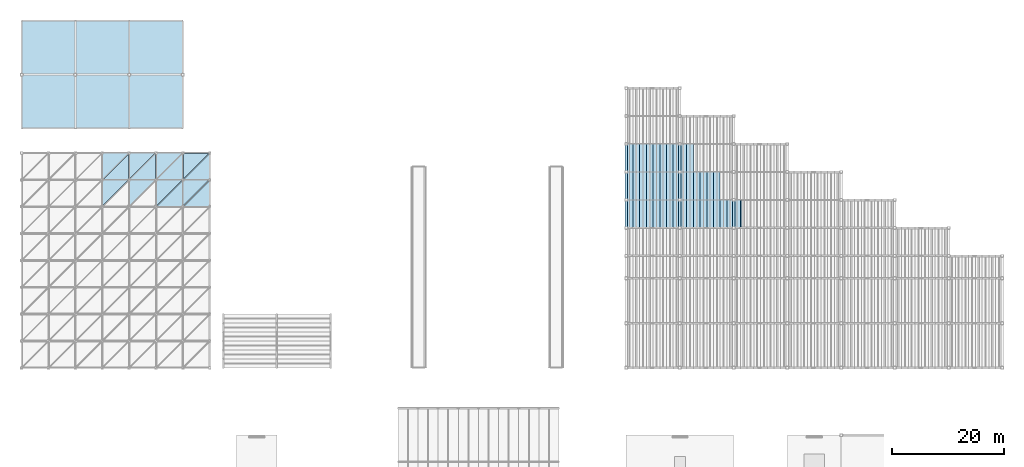
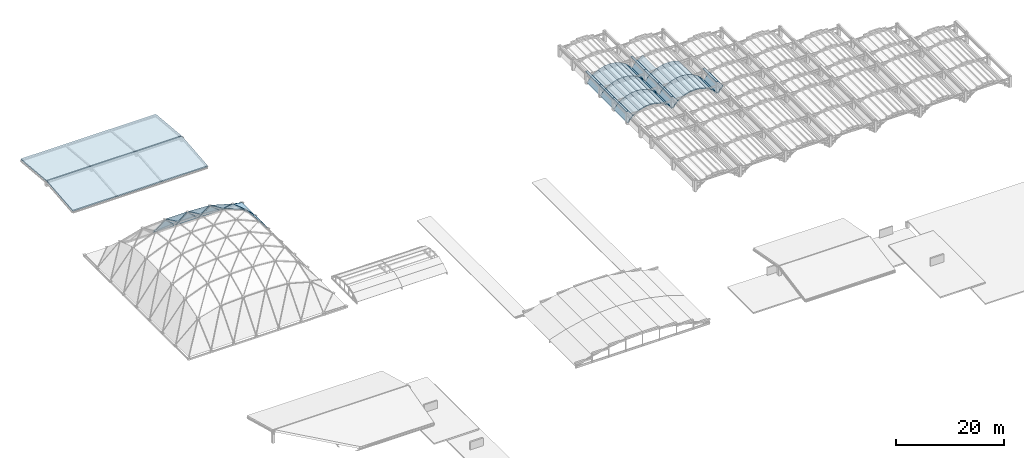
# One storey, part 34 of 70: 57 slabs, 7 plates.
"""IFC4 building model written with IfcOpenShell, lengths in metres."""

from ifc_helpers import new_model, si_unit, direction, frame, origin, origin_2d, place, context, subcontext, project, spatial, polyline, rectangle, outline, extrude, material, layer, layer_set, type_object, element, save


model = new_model("IFC4")

# Units and contexts
model_context = context("Model", 3, precision=1e-05, world=origin(), true_north=direction((0.0, 1.0)))
body_context = subcontext(model_context, "Body", "Model", "MODEL_VIEW")
ifc_project = project(units=[si_unit("LENGTHUNIT", "METRE"), si_unit("AREAUNIT", "SQUARE_METRE"), si_unit("VOLUMEUNIT", "CUBIC_METRE"), si_unit("PLANEANGLEUNIT", "RADIAN"), si_unit("MASSUNIT", "GRAM", prefix="KILO")], contexts=[model_context])

# Site, building, storey
site_placement = place(None, origin())
site = spatial("IfcSite", under=ifc_project, at=site_placement, CompositionType="ELEMENT")
building_placement = place(site_placement, origin())
building = spatial("IfcBuilding", under=site, at=building_placement, Name="Mavantir Sound Aquarium", CompositionType="ELEMENT")
storey_placement = place(building_placement, frame((0.0, 0.0, 27.0)))
storey = spatial("IfcBuildingStorey", under=building, at=storey_placement, Name="RF", CompositionType="ELEMENT", Elevation=27.0)

# Plates
ifc_material_1 = material(Name="Patinated Bronze-Copper Architectural Fascia", Category="metal")
ifc_layer_1 = layer(ifc_material_1, 0.179931640625, Name="Patinated Bronze-Copper Architectural Fascia")
ifc_layer_set_1 = layer_set([ifc_layer_1], Name="Patinated Bronze-Copper Architectural Fascia")
plate_type = type_object("IfcPlateType", Name="PLT-FASCIA-BZ", PredefinedType="SHEET", material=ifc_layer_set_1)
for number, where, z_axis, x_axis, name in (
    (1, (108.0, 68.300048828125, -4.52001953125), (0.0, 0.0, 1.0), (1.0, 0.0, 0.0), "Scalloped roof bronze ridge fascia 5"),
    (2, (108.0, 73.300048828125, -4.52001953125), (0.0, 0.0, 1.0), (1.0, 0.0, 0.0), "Scalloped roof bronze ridge fascia 6"),
    (3, (108.0, 78.300048828125, -4.52001953125), (0.0, 0.0, 1.0), (1.0, 0.0, 0.0), "Scalloped roof bronze ridge fascia 7"),
    (4, (117.60009765625, 68.300048828125, -4.52001953125), (0.0, 0.0, 1.0), (1.0, 0.0, 0.0), "Scalloped roof bronze ridge fascia 14"),
    (5, (117.60009765625, 73.300048828125, -4.52001953125), (0.0, 0.0, 1.0), (1.0, 0.0, 0.0), "Scalloped roof bronze ridge fascia 15"),
    (6, (117.60009765625, 78.300048828125, -4.52001953125), (0.0, 0.0, 1.0), (1.0, 0.0, 0.0), "Scalloped roof bronze ridge fascia 16"),
    (7, (127.199951171875, 68.300048828125, -4.52001953125), (0.0, 0.0, 1.0), (1.0, 0.0, 0.0), "Scalloped roof bronze ridge fascia 23"),
):
    element("IfcPlate", number, at=place(storey_placement, frame(where, z_axis=z_axis, x_axis=x_axis)), inside=storey, type_object=plate_type, Name=name, PredefinedType="SHEET", context=body_context, shape_type="SweptSolid", body=[
        extrude(rectangle(XDim=0.419921875, YDim=5.0, at=origin_2d()), origin(), (0.0, 0.0, 1.0), 0.139892578125),
    ])

# Slabs
ifc_material_2 = material(Name="Concrete C40/50", Category="concrete")
ifc_layer_2 = layer(ifc_material_2, 0.199951171875, Name="Concrete C40/50")
ifc_layer_set_2 = layer_set([ifc_layer_2], Name="Concrete C40/50")
slab_type_1 = type_object("IfcSlabType", Name="SLB-RF-GS", PredefinedType="ROOF", material=ifc_layer_set_2)
slab_1_placement = place(storey_placement, frame((14.47509765625, 69.77587890625, 1.109375), z_axis=(0.0, 0.432014557692, 0.901866632015), x_axis=(0.669710425792, 0.669746312107, -0.320823663411)))
element("IfcSlab", 8, at=slab_1_placement, inside=storey, type_object=slab_type_1, Name="Gridshell insulated roof panel 62", PredefinedType="ROOF", context=body_context, shape_type="SweptSolid", body=[
    extrude(outline(polyline([(0.0, 0.0), (6.803167709931447, 1.1102230246251565e-16), (3.75186498382714, 3.3835005324555576), (0.0, 0.0)])), origin(), (0.0, 0.0, -1.0), 0.199951171875),
])
slab_2_placement = place(storey_placement, frame((14.536376953125, 74.447509765625, -1.163818359375), z_axis=(0.0, 0.773840172082, 0.63338091862), x_axis=(1.0, 0.0, 0.0)))
element("IfcSlab", 9, at=slab_2_placement, inside=storey, type_object=slab_type_1, Name="Gridshell insulated roof panel 63", PredefinedType="ROOF", context=body_context, shape_type="SweptSolid", body=[
    extrude(outline(polyline([(0.0, 0.0), (4.588623046875, 0.0), (4.588623046875, 7.244649960201324), (0.0, 0.0)])), origin(), (0.0, 0.0, -1.0), 0.199951171875),
])
slab_3_placement = place(storey_placement, frame((14.47509765625, 74.563720703125, -1.305908203125), z_axis=(0.0, 0.773810134526, 0.633417615563), x_axis=(0.535082579627, 0.535111049038, -0.653714615238)))
element("IfcSlab", 10, at=slab_3_placement, inside=storey, type_object=slab_type_1, Name="Gridshell insulated roof panel 64", PredefinedType="ROOF", context=body_context, shape_type="SweptSolid", body=[
    extrude(outline(polyline([(0.0, 0.0), (8.57554183518732, 4.440892098500626e-16), (6.120249578327554, 3.876467644611121), (0.0, 0.0)])), origin(), (0.0, 0.0, -1.0), 0.199951171875),
])
slab_4_placement = place(storey_placement, frame((19.27490234375, 69.777099609375, 1.10498046875), z_axis=(0.047554867311, 0.431541304456, 0.900838851928), x_axis=(0.661872618797, 0.661837146766, -0.351988959554)))
element("IfcSlab", 11, at=slab_4_placement, inside=storey, type_object=slab_type_1, Name="Gridshell insulated roof panel 78", PredefinedType="ROOF", context=body_context, shape_type="SweptSolid", body=[
    extrude(outline(polyline([(0.0, 0.0), (6.882623321323492, 0.0), (3.7828698254038953, 3.346820707122966), (0.0, 0.0)])), origin(), (0.0, 0.0, -1.0), 0.199951171875),
])
slab_5_placement = place(storey_placement, frame((19.33984375, 74.44873046875, -1.170166015625), z_axis=(0.034280886967, 0.759437530243, 0.649676425959), x_axis=(0.998610770006, 0.0, -0.052692789153)))
element("IfcSlab", 12, at=slab_5_placement, inside=storey, type_object=slab_type_1, Name="Gridshell insulated roof panel 79", PredefinedType="ROOF", context=body_context, shape_type="SweptSolid", body=[
    extrude(outline(polyline([(0.0, 0.0), (4.591583844122739, 2.7755575615628914e-17), (4.87400998988859, 7.047870279335676), (0.0, 0.0)])), origin(), (0.0, 0.0, -1.0), 0.199951171875),
])
slab_6_placement = place(storey_placement, frame((19.27490234375, 74.563720703125, -1.305908203125), z_axis=(0.0, 0.773810134526, 0.633417615563), x_axis=(0.535102897401, 0.535102897401, -0.653704656849)))
element("IfcSlab", 13, at=slab_6_placement, inside=storey, type_object=slab_type_1, Name="Gridshell insulated roof panel 80", PredefinedType="ROOF", context=body_context, shape_type="SweptSolid", body=[
    extrude(outline(polyline([(0.0, 0.0), (8.575672473062951, 4.440892098500626e-16), (6.120156345242245, 3.8766148390737207), (0.0, 0.0)])), origin(), (0.0, 0.0, -1.0), 0.199951171875),
])
slab_7_placement = place(storey_placement, frame((24.177490234375, 69.671630859375, 0.711669921875), z_axis=(0.349736790069, 0.300110061038, 0.887478523085), x_axis=(0.930364042668, 0.0, -0.366637079563)))
element("IfcSlab", 14, at=slab_7_placement, inside=storey, type_object=slab_type_1, Name="Gridshell insulated roof panel 93", PredefinedType="ROOF", context=body_context, shape_type="SweptSolid", body=[
    extrude(outline(polyline([(0.0, 0.0), (4.892972949271522, 0.0), (5.45733984054168, 4.771967804497857), (0.0, 0.0)])), origin(), (0.0, 0.0, -1.0), 0.199951171875),
])
slab_8_placement = place(storey_placement, frame((24.07275390625, 69.778076171875, 0.705078125), z_axis=(0.248304452806, 0.398241184065, 0.883033894045), x_axis=(0.627920741831, 0.627954412309, -0.459770375339)))
element("IfcSlab", 15, at=slab_8_placement, inside=storey, type_object=slab_type_1, Name="Gridshell insulated roof panel 94", PredefinedType="ROOF", context=body_context, shape_type="SweptSolid", body=[
    extrude(outline(polyline([(0.0, 0.0), (7.250880903133205, -3.885780586188048e-16), (3.803339457164026, 3.2377726011620442), (0.0, 0.0)])), origin(), (0.0, 0.0, -1.0), 0.199951171875),
])
slab_9_placement = place(storey_placement, frame((24.15771484375, 74.45703125, -1.453857421875), z_axis=(0.205809347423, 0.649689625324, 0.731810018557), x_axis=(0.962655129752, 0.0, -0.270730680126)))
element("IfcSlab", 16, at=slab_9_placement, inside=storey, type_object=slab_type_1, Name="Gridshell insulated roof panel 95", PredefinedType="ROOF", context=body_context, shape_type="SweptSolid", body=[
    extrude(outline(polyline([(0.0, 0.0), (4.746089762619291, -1.1102230246251565e-16), (5.844214645339135, 6.010063434247701), (0.0, 0.0)])), origin(), (0.0, 0.0, -1.0), 0.199951171875),
])
slab_10_placement = place(storey_placement, frame((24.074951171875, 74.564453125, -1.55126953125), z_axis=(0.0, 0.759881491264, 0.650061627259), x_axis=(0.545024673126, 0.545024673126, -0.637099844113)))
element("IfcSlab", 17, at=slab_10_placement, inside=storey, type_object=slab_type_1, Name="Gridshell insulated roof panel 96", PredefinedType="ROOF", context=body_context, shape_type="SweptSolid", body=[
    extrude(outline(polyline([(0.0, 0.0), (8.41597507172236, 0.0), (5.915993734152358, 3.845760513677621), (0.0, 0.0)])), origin(), (0.0, 0.0, -1.0), 0.199951171875),
])
slab_11_placement = place(storey_placement, frame((28.963623046875, 69.675048828125, -1.286376953125), z_axis=(0.774888427975, 0.0, 0.632098033687), x_axis=(0.632098033687, 0.0, -0.774888427975)))
element("IfcSlab", 18, at=slab_11_placement, inside=storey, type_object=slab_type_1, Name="Gridshell insulated roof panel 109", PredefinedType="ROOF", context=body_context, shape_type="SweptSolid", body=[
    extrude(outline(polyline([(0.0, 0.0), (7.259739696917187, 0.0), (7.259739696917187, 4.588867187499999), (0.0, 0.0)])), origin(), (0.0, 0.0, -1.0), 0.199951171875),
])
slab_12_placement = place(storey_placement, frame((28.857421875, 69.75927734375, -1.1904296875), z_axis=(0.643635260825, 0.245155637544, 0.725005078881), x_axis=(0.53430460336, 0.53430460336, -0.655009298908)))
element("IfcSlab", 19, at=slab_12_placement, inside=storey, type_object=slab_type_1, Name="Gridshell insulated roof panel 110", PredefinedType="ROOF", context=body_context, shape_type="SweptSolid", body=[
    extrude(outline(polyline([(0.0, 0.0), (8.549646036450554, 2.220446049250313e-16), (3.4525432782382857, 3.3665488277306306), (0.0, 0.0)])), origin(), (0.0, 0.0, -1.0), 0.199951171875),
])
slab_13_placement = place(storey_placement, frame((28.96875, 74.47509765625, -2.8583984375), z_axis=(0.663900537319, 0.0, 0.747820885338), x_axis=(0.747820885338, 0.0, -0.663900537319)))
element("IfcSlab", 20, at=slab_13_placement, inside=storey, type_object=slab_type_1, Name="Gridshell insulated roof panel 111", PredefinedType="ROOF", context=body_context, shape_type="SweptSolid", body=[
    extrude(outline(polyline([(0.0, 0.0), (6.118036286769588, 0.0), (6.118036286769588, 4.5751953125), (0.0, 0.0)])), origin(), (0.0, 0.0, -1.0), 0.199951171875),
])
slab_14_placement = place(storey_placement, frame((28.875, 74.568603515625, -2.8583984375), z_axis=(0.0, 0.663900537319, 0.747820885338), x_axis=(0.598882541436, 0.598882541436, -0.531676032117)))
element("IfcSlab", 21, at=slab_14_placement, inside=storey, type_object=slab_type_1, Name="Gridshell insulated roof panel 112", PredefinedType="ROOF", context=body_context, shape_type="SweptSolid", body=[
    extrude(outline(polyline([(0.0, 0.0), (7.639553661945924, 0.0), (4.899549065631572, 3.6639851200159366), (0.0, 0.0)])), origin(), (0.0, 0.0, -1.0), 0.199951171875),
])
ifc_layer_3 = layer(ifc_material_2, 0.280029296875, Name="Concrete C40/50")
ifc_layer_set_3 = layer_set([ifc_layer_3], Name="Concrete C40/50")
slab_type_2 = type_object("IfcSlabType", Name="SLB-RF-PD", PredefinedType="ROOF", material=ifc_layer_set_3)
for number, where, z_axis, x_axis, name in (
    (22, (0.0, 83.60009765625, 0.280029296875), (0.0, -0.093344667628, 0.995633854901), (1.0, 0.0, 0.0), "Pavilion sloped roof deck RF-V5-S"),
    (23, (0.0, 93.2900390625, 1.171630859375), (0.0, 0.093344667628, 0.995633854901), (1.0, 0.0, 0.0), "Pavilion sloped roof deck RF-V5-N"),
):
    element("IfcSlab", number, at=place(storey_placement, frame(where, z_axis=z_axis, x_axis=x_axis)), inside=storey, type_object=slab_type_2, Name=name, PredefinedType="ROOF", context=body_context, shape_type="SweptSolid", body=[
        extrude(outline(polyline([(0.0, 0.0), (28.800048828125, 0.0), (28.800048828125, 9.551713934605418), (0.0, 9.551713934605418), (0.0, 0.0)])), origin(), (0.0, 0.0, -1.0), 0.280029296875),
    ])
ifc_layer_4 = layer(ifc_material_2, 0.219970703125, Name="Concrete C40/50")
ifc_layer_set_4 = layer_set([ifc_layer_4], Name="Concrete C40/50")
slab_type_3 = type_object("IfcSlabType", Name="SLB-RF-SC", PredefinedType="ROOF", material=ifc_layer_set_4)
slab_15_placement = place(storey_placement, frame((108.0, 65.800048828125, -6.97998046875), z_axis=(-0.725020424784, 0.0, 0.688727365252), x_axis=(0.688727365252, 0.0, 0.725020424784)))
element("IfcSlab", 24, at=slab_15_placement, inside=storey, type_object=slab_type_3, Name="Scalloped bay 1 sagging-arc roof panel 33", PredefinedType="ROOF", context=body_context, shape_type="SweptSolid", body=[
    extrude(outline(polyline([(0.0, 0.0), (1.74227311475651, 0.0), (1.74227311475651, 5.0), (0.0, 5.0), (0.0, 0.0)])), origin(), (0.0, 0.0, -1.0), 0.219970703125),
])
slab_16_placement = place(storey_placement, frame((109.199951171875, 65.800048828125, -5.716796875), z_axis=(-0.515904776109, 0.0, 0.856645937356), x_axis=(0.856645937356, 0.0, 0.515904776109)))
element("IfcSlab", 25, at=slab_16_placement, inside=storey, type_object=slab_type_3, Name="Scalloped bay 1 sagging-arc roof panel 34", PredefinedType="ROOF", context=body_context, shape_type="SweptSolid", body=[
    extrude(outline(polyline([(0.0, 0.0), (1.4007551072718774, 0.0), (1.4007551072718774, 5.0), (0.0, 5.0), (0.0, 0.0)])), origin(), (0.0, 0.0, -1.0), 0.219970703125),
])
slab_17_placement = place(storey_placement, frame((110.39990234375, 65.800048828125, -4.994140625), z_axis=(-0.30896358205, 0.0, 0.951073869353), x_axis=(0.951073869353, 0.0, 0.30896358205)))
element("IfcSlab", 26, at=slab_17_placement, inside=storey, type_object=slab_type_3, Name="Scalloped bay 1 sagging-arc roof panel 35", PredefinedType="ROOF", context=body_context, shape_type="SweptSolid", body=[
    extrude(outline(polyline([(0.0, 0.0), (1.261937007391388, 0.0), (1.261937007391388, 5.0), (0.0, 5.0), (0.0, 0.0)])), origin(), (0.0, 0.0, -1.0), 0.219970703125),
])
for number, where, z_axis, x_axis, name in (
    (27, (111.60009765625, 65.800048828125, -4.604248046875), (-0.103009624196, 0.0, 0.994680359373), (0.994680359373, 0.0, 0.103009624196), "Scalloped bay 1 sagging-arc roof panel 36"),
    (28, (112.800048828125, 65.800048828125, -4.47998046875), (0.103009624196, 0.0, 0.994680359373), (0.994680359373, 0.0, -0.103009624196), "Scalloped bay 1 sagging-arc roof panel 37"),
):
    element("IfcSlab", number, at=place(storey_placement, frame(where, z_axis=z_axis, x_axis=x_axis)), inside=storey, type_object=slab_type_3, Name=name, PredefinedType="ROOF", context=body_context, shape_type="SweptSolid", body=[
        extrude(outline(polyline([(0.0, 0.0), (1.206368619393442, 0.0), (1.206368619393442, 5.000000000000001), (0.0, 5.000000000000001), (0.0, 0.0)])), origin(), (0.0, 0.0, -1.0), 0.219970703125),
    ])
slab_18_placement = place(storey_placement, frame((114.0, 65.800048828125, -4.604248046875), z_axis=(0.309020441102, 0.0, 0.951055396379), x_axis=(0.951055396379, 0.0, -0.309020441102)))
element("IfcSlab", 29, at=slab_18_placement, inside=storey, type_object=slab_type_3, Name="Scalloped bay 1 sagging-arc roof panel 38", PredefinedType="ROOF", context=body_context, shape_type="SweptSolid", body=[
    extrude(outline(polyline([(0.0, 0.0), (1.2617048138772973, 0.0), (1.2617048138772973, 5.0), (0.0, 5.0), (0.0, 0.0)])), origin(), (0.0, 0.0, -1.0), 0.219970703125),
])
slab_19_placement = place(storey_placement, frame((115.199951171875, 65.800048828125, -4.994140625), z_axis=(0.515904776109, 0.0, 0.856645937356), x_axis=(0.856645937356, 0.0, -0.515904776109)))
element("IfcSlab", 30, at=slab_19_placement, inside=storey, type_object=slab_type_3, Name="Scalloped bay 1 sagging-arc roof panel 39", PredefinedType="ROOF", context=body_context, shape_type="SweptSolid", body=[
    extrude(outline(polyline([(0.0, 0.0), (1.4007551072718774, 0.0), (1.4007551072718774, 5.0), (0.0, 5.0), (0.0, 0.0)])), origin(), (0.0, 0.0, -1.0), 0.219970703125),
])
slab_20_placement = place(storey_placement, frame((116.39990234375, 65.800048828125, -5.716796875), z_axis=(0.724950456261, 0.0, 0.688801013332), x_axis=(0.688801013332, 0.0, -0.724950456261)))
element("IfcSlab", 31, at=slab_20_placement, inside=storey, type_object=slab_type_3, Name="Scalloped bay 1 sagging-arc roof panel 40", PredefinedType="ROOF", context=body_context, shape_type="SweptSolid", body=[
    extrude(outline(polyline([(0.0, 0.0), (1.7424412700765952, 0.0), (1.7424412700765952, 5.0), (0.0, 5.0), (0.0, 0.0)])), origin(), (0.0, 0.0, -1.0), 0.219970703125),
])
slab_21_placement = place(storey_placement, frame((108.0, 70.800048828125, -6.97998046875), z_axis=(-0.725020424784, 0.0, 0.688727365252), x_axis=(0.688727365252, 0.0, 0.725020424784)))
element("IfcSlab", 32, at=slab_21_placement, inside=storey, type_object=slab_type_3, Name="Scalloped bay 1 sagging-arc roof panel 41", PredefinedType="ROOF", context=body_context, shape_type="SweptSolid", body=[
    extrude(outline(polyline([(0.0, 0.0), (1.74227311475651, 0.0), (1.74227311475651, 5.0), (0.0, 5.0), (0.0, 0.0)])), origin(), (0.0, 0.0, -1.0), 0.219970703125),
])
slab_22_placement = place(storey_placement, frame((109.199951171875, 70.800048828125, -5.716796875), z_axis=(-0.515904776109, 0.0, 0.856645937356), x_axis=(0.856645937356, 0.0, 0.515904776109)))
element("IfcSlab", 33, at=slab_22_placement, inside=storey, type_object=slab_type_3, Name="Scalloped bay 1 sagging-arc roof panel 42", PredefinedType="ROOF", context=body_context, shape_type="SweptSolid", body=[
    extrude(outline(polyline([(0.0, 0.0), (1.4007551072718774, 0.0), (1.4007551072718774, 5.0), (0.0, 5.0), (0.0, 0.0)])), origin(), (0.0, 0.0, -1.0), 0.219970703125),
])
slab_23_placement = place(storey_placement, frame((110.39990234375, 70.800048828125, -4.994140625), z_axis=(-0.30896358205, 0.0, 0.951073869353), x_axis=(0.951073869353, 0.0, 0.30896358205)))
element("IfcSlab", 34, at=slab_23_placement, inside=storey, type_object=slab_type_3, Name="Scalloped bay 1 sagging-arc roof panel 43", PredefinedType="ROOF", context=body_context, shape_type="SweptSolid", body=[
    extrude(outline(polyline([(0.0, 0.0), (1.261937007391388, 0.0), (1.261937007391388, 5.0), (0.0, 5.0), (0.0, 0.0)])), origin(), (0.0, 0.0, -1.0), 0.219970703125),
])
for number, where, z_axis, x_axis, name in (
    (35, (111.60009765625, 70.800048828125, -4.604248046875), (-0.103009624196, 0.0, 0.994680359373), (0.994680359373, 0.0, 0.103009624196), "Scalloped bay 1 sagging-arc roof panel 44"),
    (36, (112.800048828125, 70.800048828125, -4.47998046875), (0.103009624196, 0.0, 0.994680359373), (0.994680359373, 0.0, -0.103009624196), "Scalloped bay 1 sagging-arc roof panel 45"),
):
    element("IfcSlab", number, at=place(storey_placement, frame(where, z_axis=z_axis, x_axis=x_axis)), inside=storey, type_object=slab_type_3, Name=name, PredefinedType="ROOF", context=body_context, shape_type="SweptSolid", body=[
        extrude(outline(polyline([(0.0, 0.0), (1.206368619393442, 0.0), (1.206368619393442, 5.000000000000001), (0.0, 5.000000000000001), (0.0, 0.0)])), origin(), (0.0, 0.0, -1.0), 0.219970703125),
    ])
slab_24_placement = place(storey_placement, frame((114.0, 70.800048828125, -4.604248046875), z_axis=(0.309020441102, 0.0, 0.951055396379), x_axis=(0.951055396379, 0.0, -0.309020441102)))
element("IfcSlab", 37, at=slab_24_placement, inside=storey, type_object=slab_type_3, Name="Scalloped bay 1 sagging-arc roof panel 46", PredefinedType="ROOF", context=body_context, shape_type="SweptSolid", body=[
    extrude(outline(polyline([(0.0, 0.0), (1.2617048138772973, 0.0), (1.2617048138772973, 5.0), (0.0, 5.0), (0.0, 0.0)])), origin(), (0.0, 0.0, -1.0), 0.219970703125),
])
slab_25_placement = place(storey_placement, frame((115.199951171875, 70.800048828125, -4.994140625), z_axis=(0.515904776109, 0.0, 0.856645937356), x_axis=(0.856645937356, 0.0, -0.515904776109)))
element("IfcSlab", 38, at=slab_25_placement, inside=storey, type_object=slab_type_3, Name="Scalloped bay 1 sagging-arc roof panel 47", PredefinedType="ROOF", context=body_context, shape_type="SweptSolid", body=[
    extrude(outline(polyline([(0.0, 0.0), (1.4007551072718774, 0.0), (1.4007551072718774, 5.0), (0.0, 5.0), (0.0, 0.0)])), origin(), (0.0, 0.0, -1.0), 0.219970703125),
])
slab_26_placement = place(storey_placement, frame((116.39990234375, 70.800048828125, -5.716796875), z_axis=(0.724950456261, 0.0, 0.688801013332), x_axis=(0.688801013332, 0.0, -0.724950456261)))
element("IfcSlab", 39, at=slab_26_placement, inside=storey, type_object=slab_type_3, Name="Scalloped bay 1 sagging-arc roof panel 48", PredefinedType="ROOF", context=body_context, shape_type="SweptSolid", body=[
    extrude(outline(polyline([(0.0, 0.0), (1.7424412700765952, 0.0), (1.7424412700765952, 5.0), (0.0, 5.0), (0.0, 0.0)])), origin(), (0.0, 0.0, -1.0), 0.219970703125),
])
slab_27_placement = place(storey_placement, frame((108.0, 75.800048828125, -6.97998046875), z_axis=(-0.725020424784, 0.0, 0.688727365252), x_axis=(0.688727365252, 0.0, 0.725020424784)))
element("IfcSlab", 40, at=slab_27_placement, inside=storey, type_object=slab_type_3, Name="Scalloped bay 1 sagging-arc roof panel 49", PredefinedType="ROOF", context=body_context, shape_type="SweptSolid", body=[
    extrude(outline(polyline([(0.0, 0.0), (1.74227311475651, 0.0), (1.74227311475651, 5.0), (0.0, 5.0), (0.0, 0.0)])), origin(), (0.0, 0.0, -1.0), 0.219970703125),
])
slab_28_placement = place(storey_placement, frame((109.199951171875, 75.800048828125, -5.716796875), z_axis=(-0.515904776109, 0.0, 0.856645937356), x_axis=(0.856645937356, 0.0, 0.515904776109)))
element("IfcSlab", 41, at=slab_28_placement, inside=storey, type_object=slab_type_3, Name="Scalloped bay 1 sagging-arc roof panel 50", PredefinedType="ROOF", context=body_context, shape_type="SweptSolid", body=[
    extrude(outline(polyline([(0.0, 0.0), (1.4007551072718774, 0.0), (1.4007551072718774, 5.0), (0.0, 5.0), (0.0, 0.0)])), origin(), (0.0, 0.0, -1.0), 0.219970703125),
])
slab_29_placement = place(storey_placement, frame((110.39990234375, 75.800048828125, -4.994140625), z_axis=(-0.30896358205, 0.0, 0.951073869353), x_axis=(0.951073869353, 0.0, 0.30896358205)))
element("IfcSlab", 42, at=slab_29_placement, inside=storey, type_object=slab_type_3, Name="Scalloped bay 1 sagging-arc roof panel 51", PredefinedType="ROOF", context=body_context, shape_type="SweptSolid", body=[
    extrude(outline(polyline([(0.0, 0.0), (1.261937007391388, 0.0), (1.261937007391388, 5.0), (0.0, 5.0), (0.0, 0.0)])), origin(), (0.0, 0.0, -1.0), 0.219970703125),
])
for number, where, z_axis, x_axis, name in (
    (43, (111.60009765625, 75.800048828125, -4.604248046875), (-0.103009624196, 0.0, 0.994680359373), (0.994680359373, 0.0, 0.103009624196), "Scalloped bay 1 sagging-arc roof panel 52"),
    (44, (112.800048828125, 75.800048828125, -4.47998046875), (0.103009624196, 0.0, 0.994680359373), (0.994680359373, 0.0, -0.103009624196), "Scalloped bay 1 sagging-arc roof panel 53"),
):
    element("IfcSlab", number, at=place(storey_placement, frame(where, z_axis=z_axis, x_axis=x_axis)), inside=storey, type_object=slab_type_3, Name=name, PredefinedType="ROOF", context=body_context, shape_type="SweptSolid", body=[
        extrude(outline(polyline([(0.0, 0.0), (1.206368619393442, 0.0), (1.206368619393442, 5.000000000000001), (0.0, 5.000000000000001), (0.0, 0.0)])), origin(), (0.0, 0.0, -1.0), 0.219970703125),
    ])
slab_30_placement = place(storey_placement, frame((114.0, 75.800048828125, -4.604248046875), z_axis=(0.309020441102, 0.0, 0.951055396379), x_axis=(0.951055396379, 0.0, -0.309020441102)))
element("IfcSlab", 45, at=slab_30_placement, inside=storey, type_object=slab_type_3, Name="Scalloped bay 1 sagging-arc roof panel 54", PredefinedType="ROOF", context=body_context, shape_type="SweptSolid", body=[
    extrude(outline(polyline([(0.0, 0.0), (1.2617048138772973, 0.0), (1.2617048138772973, 5.0), (0.0, 5.0), (0.0, 0.0)])), origin(), (0.0, 0.0, -1.0), 0.219970703125),
])
slab_31_placement = place(storey_placement, frame((115.199951171875, 75.800048828125, -4.994140625), z_axis=(0.515904776109, 0.0, 0.856645937356), x_axis=(0.856645937356, 0.0, -0.515904776109)))
element("IfcSlab", 46, at=slab_31_placement, inside=storey, type_object=slab_type_3, Name="Scalloped bay 1 sagging-arc roof panel 55", PredefinedType="ROOF", context=body_context, shape_type="SweptSolid", body=[
    extrude(outline(polyline([(0.0, 0.0), (1.4007551072718774, 0.0), (1.4007551072718774, 5.0), (0.0, 5.0), (0.0, 0.0)])), origin(), (0.0, 0.0, -1.0), 0.219970703125),
])
slab_32_placement = place(storey_placement, frame((116.39990234375, 75.800048828125, -5.716796875), z_axis=(0.724950456261, 0.0, 0.688801013332), x_axis=(0.688801013332, 0.0, -0.724950456261)))
element("IfcSlab", 47, at=slab_32_placement, inside=storey, type_object=slab_type_3, Name="Scalloped bay 1 sagging-arc roof panel 56", PredefinedType="ROOF", context=body_context, shape_type="SweptSolid", body=[
    extrude(outline(polyline([(0.0, 0.0), (1.7424412700765952, 0.0), (1.7424412700765952, 5.0), (0.0, 5.0), (0.0, 0.0)])), origin(), (0.0, 0.0, -1.0), 0.219970703125),
])
slab_33_placement = place(storey_placement, frame((117.60009765625, 65.800048828125, -6.97998046875), z_axis=(-0.725020424784, 0.0, 0.688727365252), x_axis=(0.688727365252, 0.0, 0.725020424784)))
element("IfcSlab", 48, at=slab_33_placement, inside=storey, type_object=slab_type_3, Name="Scalloped bay 2 sagging-arc roof panel 105", PredefinedType="ROOF", context=body_context, shape_type="SweptSolid", body=[
    extrude(outline(polyline([(0.0, 0.0), (1.74227311475651, 0.0), (1.74227311475651, 5.0), (0.0, 5.0), (0.0, 0.0)])), origin(), (0.0, 0.0, -1.0), 0.219970703125),
])
slab_34_placement = place(storey_placement, frame((118.800048828125, 65.800048828125, -5.716796875), z_axis=(-0.515904776109, 0.0, 0.856645937356), x_axis=(0.856645937356, 0.0, 0.515904776109)))
element("IfcSlab", 49, at=slab_34_placement, inside=storey, type_object=slab_type_3, Name="Scalloped bay 2 sagging-arc roof panel 106", PredefinedType="ROOF", context=body_context, shape_type="SweptSolid", body=[
    extrude(outline(polyline([(0.0, 0.0), (1.4007551072718774, 0.0), (1.4007551072718774, 5.0), (0.0, 5.0), (0.0, 0.0)])), origin(), (0.0, 0.0, -1.0), 0.219970703125),
])
slab_35_placement = place(storey_placement, frame((120.0, 65.800048828125, -4.994140625), z_axis=(-0.309020441102, 0.0, 0.951055396379), x_axis=(0.951055396379, 0.0, 0.309020441102)))
element("IfcSlab", 50, at=slab_35_placement, inside=storey, type_object=slab_type_3, Name="Scalloped bay 2 sagging-arc roof panel 107", PredefinedType="ROOF", context=body_context, shape_type="SweptSolid", body=[
    extrude(outline(polyline([(0.0, 0.0), (1.2617048138772973, 0.0), (1.2617048138772973, 5.0), (0.0, 5.0), (0.0, 0.0)])), origin(), (0.0, 0.0, -1.0), 0.219970703125),
])
slab_36_placement = place(storey_placement, frame((121.199951171875, 65.800048828125, -4.604248046875), z_axis=(-0.103009624196, 0.0, 0.994680359373), x_axis=(0.994680359373, 0.0, 0.103009624196)))
element("IfcSlab", 51, at=slab_36_placement, inside=storey, type_object=slab_type_3, Name="Scalloped bay 2 sagging-arc roof panel 108", PredefinedType="ROOF", context=body_context, shape_type="SweptSolid", body=[
    extrude(outline(polyline([(0.0, 0.0), (1.206368619393442, 0.0), (1.206368619393442, 5.000000000000001), (0.0, 5.000000000000001), (0.0, 0.0)])), origin(), (0.0, 0.0, -1.0), 0.219970703125),
])
slab_37_placement = place(storey_placement, frame((122.39990234375, 65.800048828125, -4.47998046875), z_axis=(0.102988892519, 0.0, 0.994682506138), x_axis=(0.994682506138, 0.0, -0.102988892519)))
element("IfcSlab", 52, at=slab_37_placement, inside=storey, type_object=slab_type_3, Name="Scalloped bay 2 sagging-arc roof panel 109", PredefinedType="ROOF", context=body_context, shape_type="SweptSolid", body=[
    extrude(outline(polyline([(0.0, 0.0), (1.206611461540137, 0.0), (1.206611461540137, 5.000000000000001), (0.0, 5.000000000000001), (0.0, 0.0)])), origin(), (0.0, 0.0, -1.0), 0.219970703125),
])
slab_38_placement = place(storey_placement, frame((123.60009765625, 65.800048828125, -4.604248046875), z_axis=(0.309020441102, 0.0, 0.951055396379), x_axis=(0.951055396379, 0.0, -0.309020441102)))
element("IfcSlab", 53, at=slab_38_placement, inside=storey, type_object=slab_type_3, Name="Scalloped bay 2 sagging-arc roof panel 110", PredefinedType="ROOF", context=body_context, shape_type="SweptSolid", body=[
    extrude(outline(polyline([(0.0, 0.0), (1.2617048138772973, 0.0), (1.2617048138772973, 5.0), (0.0, 5.0), (0.0, 0.0)])), origin(), (0.0, 0.0, -1.0), 0.219970703125),
])
slab_39_placement = place(storey_placement, frame((124.800048828125, 65.800048828125, -4.994140625), z_axis=(0.515904776109, 0.0, 0.856645937356), x_axis=(0.856645937356, 0.0, -0.515904776109)))
element("IfcSlab", 54, at=slab_39_placement, inside=storey, type_object=slab_type_3, Name="Scalloped bay 2 sagging-arc roof panel 111", PredefinedType="ROOF", context=body_context, shape_type="SweptSolid", body=[
    extrude(outline(polyline([(0.0, 0.0), (1.4007551072718774, 0.0), (1.4007551072718774, 5.0), (0.0, 5.0), (0.0, 0.0)])), origin(), (0.0, 0.0, -1.0), 0.219970703125),
])
for number, where, z_axis, x_axis, name in (
    (55, (126.0, 65.800048828125, -5.716796875), (0.725020424784, 0.0, 0.688727365252), (0.688727365252, 0.0, -0.725020424784), "Scalloped bay 2 sagging-arc roof panel 112"),
    (56, (117.60009765625, 70.800048828125, -6.97998046875), (-0.725020424784, 0.0, 0.688727365252), (0.688727365252, 0.0, 0.725020424784), "Scalloped bay 2 sagging-arc roof panel 113"),
):
    element("IfcSlab", number, at=place(storey_placement, frame(where, z_axis=z_axis, x_axis=x_axis)), inside=storey, type_object=slab_type_3, Name=name, PredefinedType="ROOF", context=body_context, shape_type="SweptSolid", body=[
        extrude(outline(polyline([(0.0, 0.0), (1.74227311475651, 0.0), (1.74227311475651, 5.0), (0.0, 5.0), (0.0, 0.0)])), origin(), (0.0, 0.0, -1.0), 0.219970703125),
    ])
slab_40_placement = place(storey_placement, frame((118.800048828125, 70.800048828125, -5.716796875), z_axis=(-0.515904776109, 0.0, 0.856645937356), x_axis=(0.856645937356, 0.0, 0.515904776109)))
element("IfcSlab", 57, at=slab_40_placement, inside=storey, type_object=slab_type_3, Name="Scalloped bay 2 sagging-arc roof panel 114", PredefinedType="ROOF", context=body_context, shape_type="SweptSolid", body=[
    extrude(outline(polyline([(0.0, 0.0), (1.4007551072718774, 0.0), (1.4007551072718774, 5.0), (0.0, 5.0), (0.0, 0.0)])), origin(), (0.0, 0.0, -1.0), 0.219970703125),
])
slab_41_placement = place(storey_placement, frame((120.0, 70.800048828125, -4.994140625), z_axis=(-0.309020441102, 0.0, 0.951055396379), x_axis=(0.951055396379, 0.0, 0.309020441102)))
element("IfcSlab", 58, at=slab_41_placement, inside=storey, type_object=slab_type_3, Name="Scalloped bay 2 sagging-arc roof panel 115", PredefinedType="ROOF", context=body_context, shape_type="SweptSolid", body=[
    extrude(outline(polyline([(0.0, 0.0), (1.2617048138772973, 0.0), (1.2617048138772973, 5.0), (0.0, 5.0), (0.0, 0.0)])), origin(), (0.0, 0.0, -1.0), 0.219970703125),
])
slab_42_placement = place(storey_placement, frame((121.199951171875, 70.800048828125, -4.604248046875), z_axis=(-0.103009624196, 0.0, 0.994680359373), x_axis=(0.994680359373, 0.0, 0.103009624196)))
element("IfcSlab", 59, at=slab_42_placement, inside=storey, type_object=slab_type_3, Name="Scalloped bay 2 sagging-arc roof panel 116", PredefinedType="ROOF", context=body_context, shape_type="SweptSolid", body=[
    extrude(outline(polyline([(0.0, 0.0), (1.206368619393442, 0.0), (1.206368619393442, 5.000000000000001), (0.0, 5.000000000000001), (0.0, 0.0)])), origin(), (0.0, 0.0, -1.0), 0.219970703125),
])
slab_43_placement = place(storey_placement, frame((122.39990234375, 70.800048828125, -4.47998046875), z_axis=(0.102988892519, 0.0, 0.994682506138), x_axis=(0.994682506138, 0.0, -0.102988892519)))
element("IfcSlab", 60, at=slab_43_placement, inside=storey, type_object=slab_type_3, Name="Scalloped bay 2 sagging-arc roof panel 117", PredefinedType="ROOF", context=body_context, shape_type="SweptSolid", body=[
    extrude(outline(polyline([(0.0, 0.0), (1.206611461540137, 0.0), (1.206611461540137, 5.000000000000001), (0.0, 5.000000000000001), (0.0, 0.0)])), origin(), (0.0, 0.0, -1.0), 0.219970703125),
])
slab_44_placement = place(storey_placement, frame((123.60009765625, 70.800048828125, -4.604248046875), z_axis=(0.309020441102, 0.0, 0.951055396379), x_axis=(0.951055396379, 0.0, -0.309020441102)))
element("IfcSlab", 61, at=slab_44_placement, inside=storey, type_object=slab_type_3, Name="Scalloped bay 2 sagging-arc roof panel 118", PredefinedType="ROOF", context=body_context, shape_type="SweptSolid", body=[
    extrude(outline(polyline([(0.0, 0.0), (1.2617048138772973, 0.0), (1.2617048138772973, 5.0), (0.0, 5.0), (0.0, 0.0)])), origin(), (0.0, 0.0, -1.0), 0.219970703125),
])
slab_45_placement = place(storey_placement, frame((117.60009765625, 75.800048828125, -6.97998046875), z_axis=(-0.725020424784, 0.0, 0.688727365252), x_axis=(0.688727365252, 0.0, 0.725020424784)))
element("IfcSlab", 62, at=slab_45_placement, inside=storey, type_object=slab_type_3, Name="Scalloped bay 2 sagging-arc roof panel 121", PredefinedType="ROOF", context=body_context, shape_type="SweptSolid", body=[
    extrude(outline(polyline([(0.0, 0.0), (1.74227311475651, 0.0), (1.74227311475651, 5.0), (0.0, 5.0), (0.0, 0.0)])), origin(), (0.0, 0.0, -1.0), 0.219970703125),
])
slab_46_placement = place(storey_placement, frame((118.800048828125, 75.800048828125, -5.716796875), z_axis=(-0.515904776109, 0.0, 0.856645937356), x_axis=(0.856645937356, 0.0, 0.515904776109)))
element("IfcSlab", 63, at=slab_46_placement, inside=storey, type_object=slab_type_3, Name="Scalloped bay 2 sagging-arc roof panel 122", PredefinedType="ROOF", context=body_context, shape_type="SweptSolid", body=[
    extrude(outline(polyline([(0.0, 0.0), (1.4007551072718774, 0.0), (1.4007551072718774, 5.0), (0.0, 5.0), (0.0, 0.0)])), origin(), (0.0, 0.0, -1.0), 0.219970703125),
])
slab_47_placement = place(storey_placement, frame((127.199951171875, 65.800048828125, -6.97998046875), z_axis=(-0.725020424784, 0.0, 0.688727365252), x_axis=(0.688727365252, 0.0, 0.725020424784)))
element("IfcSlab", 64, at=slab_47_placement, inside=storey, type_object=slab_type_3, Name="Scalloped bay 3 sagging-arc roof panel 169", PredefinedType="ROOF", context=body_context, shape_type="SweptSolid", body=[
    extrude(outline(polyline([(0.0, 0.0), (1.74227311475651, 0.0), (1.74227311475651, 5.0), (0.0, 5.0), (0.0, 0.0)])), origin(), (0.0, 0.0, -1.0), 0.219970703125),
])

save(model, "model.ifc")
